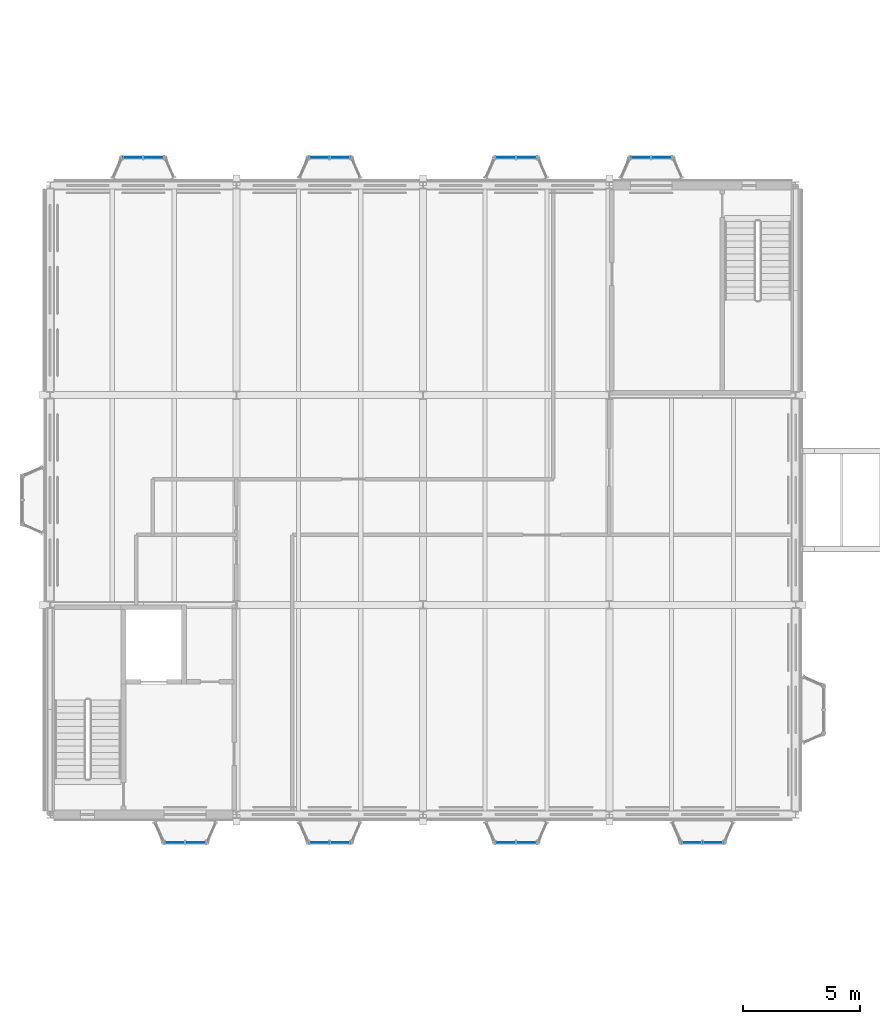
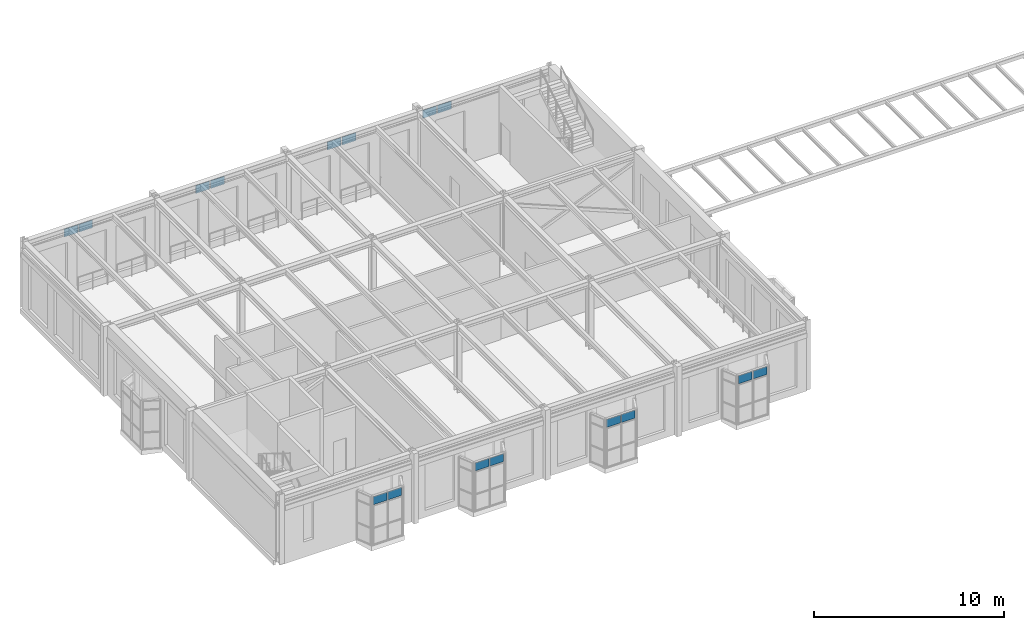
# One storey, part 91 of 153: 16 plates, 8 elements without a shape of their own.
"""IFC4 building model written with IfcOpenShell, lengths in metres."""

from ifc_helpers import new_model, si_unit, direction, frame, origin, origin_2d, place, context, subcontext, project, spatial, rectangle, extrude, material, layer, layer_set, type_object, element, aggregate, save


model = new_model("IFC4")

# Units and contexts
model_context = context("Model", 3, precision=1e-05, world=origin(), true_north=direction((0.0, 1.0)))
body_context = subcontext(model_context, "Body", "Model", "MODEL_VIEW")
ifc_project = project(units=[si_unit("LENGTHUNIT", "METRE"), si_unit("AREAUNIT", "SQUARE_METRE"), si_unit("VOLUMEUNIT", "CUBIC_METRE"), si_unit("PLANEANGLEUNIT", "RADIAN"), si_unit("MASSUNIT", "GRAM", prefix="KILO")], contexts=[model_context])

# Site, building, storey
site_placement = place(None, origin())
site = spatial("IfcSite", under=ifc_project, at=site_placement, CompositionType="ELEMENT")
building_placement = place(site_placement, origin())
building = spatial("IfcBuilding", under=site, at=building_placement, Name="Kallimachos Central Library", CompositionType="ELEMENT")
storey_placement = place(building_placement, frame((0.0, 0.0, 5.39990234375)))
storey = spatial("IfcBuildingStorey", under=building, at=storey_placement, Name="L01", CompositionType="ELEMENT", Elevation=5.39990234375)

# Curtain wall, plates
ifc_material_1 = material(Name="Laminated glass in anodised aluminium", Category="aluminium")
curtain_wall_type = type_object("IfcCurtainWallType", Name="Foyer curtain wall", PredefinedType="NOTDEFINED", material=ifc_material_1)
curtain_wall_1_placement = place(storey_placement, origin())
curtain_wall_1 = element("IfcCurtainWall", 1, at=curtain_wall_1_placement, inside=storey, type_object=curtain_wall_type, Name="Tribune bay front", PredefinedType="NOTDEFINED")
ifc_material_2 = material(Name="Laminated glass", Category="glass")
ifc_layer = layer(ifc_material_2, 0.028076171875)
ifc_layer_set = layer_set([ifc_layer], Name="Curtain wall glass panel 28")
plate_type = type_object("IfcPlateType", Name="Curtain wall glass panel 28", PredefinedType="CURTAIN_PANEL", material=ifc_layer_set)
plate_1_placement = place(storey_placement, frame((11.3525390625, 85.800048828125, 2.72998046875), z_axis=(0.0, 0.0, 1.0), x_axis=(1.0, 0.0, 0.0)))
plate_1 = element("IfcPlate", 2, at=plate_1_placement, type_object=plate_type, Name="CW panel 1.3", PredefinedType="CURTAIN_PANEL", context=body_context, shape_type="SweptSolid", body=[
    extrude(rectangle(XDim=0.8349609375, YDim=0.028076171875, at=origin_2d()), origin(), (0.0, 0.0, 1.0), 0.510009765625),
])
plate_2_placement = place(storey_placement, frame((12.24755859375, 85.800048828125, 2.72998046875), z_axis=(0.0, 0.0, 1.0), x_axis=(1.0, 0.0, 0.0)))
plate_2 = element("IfcPlate", 3, at=plate_2_placement, type_object=plate_type, Name="CW panel 2.3", PredefinedType="CURTAIN_PANEL", context=body_context, shape_type="SweptSolid", body=[
    extrude(rectangle(XDim=0.8349609375, YDim=0.028076171875, at=origin_2d()), origin(), (0.0, 0.0, 1.0), 0.510009765625),
])
aggregate(curtain_wall_1, [plate_1, plate_2])

curtain_wall_2_placement = place(storey_placement, origin())
curtain_wall_2 = element("IfcCurtainWall", 4, at=curtain_wall_2_placement, inside=storey, type_object=curtain_wall_type, Name="Tribune bay front", PredefinedType="NOTDEFINED")
plate_3_placement = place(storey_placement, frame((17.552490234375, 85.800048828125, 2.72998046875), z_axis=(0.0, 0.0, 1.0), x_axis=(1.0, 0.0, 0.0)))
plate_3 = element("IfcPlate", 5, at=plate_3_placement, type_object=plate_type, Name="CW panel 1.3", PredefinedType="CURTAIN_PANEL", context=body_context, shape_type="SweptSolid", body=[
    extrude(rectangle(XDim=0.8349609375, YDim=0.028076171875, at=origin_2d()), origin(), (0.0, 0.0, 1.0), 0.510009765625),
])
plate_4_placement = place(storey_placement, frame((18.447509765625, 85.800048828125, 2.72998046875), z_axis=(0.0, 0.0, 1.0), x_axis=(1.0, 0.0, 0.0)))
plate_4 = element("IfcPlate", 6, at=plate_4_placement, type_object=plate_type, Name="CW panel 2.3", PredefinedType="CURTAIN_PANEL", context=body_context, shape_type="SweptSolid", body=[
    extrude(rectangle(XDim=0.8349609375, YDim=0.028076171875, at=origin_2d()), origin(), (0.0, 0.0, 1.0), 0.510009765625),
])
aggregate(curtain_wall_2, [plate_3, plate_4])

curtain_wall_3_placement = place(storey_placement, origin())
curtain_wall_3 = element("IfcCurtainWall", 7, at=curtain_wall_3_placement, inside=storey, type_object=curtain_wall_type, Name="Tribune bay front", PredefinedType="NOTDEFINED")
plate_5_placement = place(storey_placement, frame((25.552490234375, 85.800048828125, 2.72998046875), z_axis=(0.0, 0.0, 1.0), x_axis=(1.0, 0.0, 0.0)))
plate_5 = element("IfcPlate", 8, at=plate_5_placement, type_object=plate_type, Name="CW panel 1.3", PredefinedType="CURTAIN_PANEL", context=body_context, shape_type="SweptSolid", body=[
    extrude(rectangle(XDim=0.8349609375, YDim=0.028076171875, at=origin_2d()), origin(), (0.0, 0.0, 1.0), 0.510009765625),
])
plate_6_placement = place(storey_placement, frame((26.447509765625, 85.800048828125, 2.72998046875), z_axis=(0.0, 0.0, 1.0), x_axis=(1.0, 0.0, 0.0)))
plate_6 = element("IfcPlate", 9, at=plate_6_placement, type_object=plate_type, Name="CW panel 2.3", PredefinedType="CURTAIN_PANEL", context=body_context, shape_type="SweptSolid", body=[
    extrude(rectangle(XDim=0.8349609375, YDim=0.028076171875, at=origin_2d()), origin(), (0.0, 0.0, 1.0), 0.510009765625),
])
aggregate(curtain_wall_3, [plate_5, plate_6])

curtain_wall_4_placement = place(storey_placement, origin())
curtain_wall_4 = element("IfcCurtainWall", 10, at=curtain_wall_4_placement, inside=storey, type_object=curtain_wall_type, Name="Tribune bay front", PredefinedType="NOTDEFINED")
plate_7_placement = place(storey_placement, frame((33.552490234375, 85.800048828125, 2.72998046875), z_axis=(0.0, 0.0, 1.0), x_axis=(1.0, 0.0, 0.0)))
plate_7 = element("IfcPlate", 11, at=plate_7_placement, type_object=plate_type, Name="CW panel 1.3", PredefinedType="CURTAIN_PANEL", context=body_context, shape_type="SweptSolid", body=[
    extrude(rectangle(XDim=0.8349609375, YDim=0.028076171875, at=origin_2d()), origin(), (0.0, 0.0, 1.0), 0.510009765625),
])
plate_8_placement = place(storey_placement, frame((34.447509765625, 85.800048828125, 2.72998046875), z_axis=(0.0, 0.0, 1.0), x_axis=(1.0, 0.0, 0.0)))
plate_8 = element("IfcPlate", 12, at=plate_8_placement, type_object=plate_type, Name="CW panel 2.3", PredefinedType="CURTAIN_PANEL", context=body_context, shape_type="SweptSolid", body=[
    extrude(rectangle(XDim=0.8349609375, YDim=0.028076171875, at=origin_2d()), origin(), (0.0, 0.0, 1.0), 0.510009765625),
])
aggregate(curtain_wall_4, [plate_7, plate_8])

curtain_wall_5_placement = place(storey_placement, origin())
curtain_wall_5 = element("IfcCurtainWall", 13, at=curtain_wall_5_placement, inside=storey, type_object=curtain_wall_type, Name="Tribune bay front", PredefinedType="NOTDEFINED")
plate_9_placement = place(storey_placement, frame((9.552490234375, 115.199951171875, 2.72998046875), z_axis=(0.0, 0.0, 1.0), x_axis=(1.0, 0.0, 0.0)))
plate_9 = element("IfcPlate", 14, at=plate_9_placement, type_object=plate_type, Name="CW panel 1.3", PredefinedType="CURTAIN_PANEL", context=body_context, shape_type="SweptSolid", body=[
    extrude(rectangle(XDim=0.8349609375, YDim=0.028076171875, at=origin_2d()), origin(), (0.0, 0.0, 1.0), 0.510009765625),
])
plate_10_placement = place(storey_placement, frame((10.447509765625, 115.199951171875, 2.72998046875), z_axis=(0.0, 0.0, 1.0), x_axis=(1.0, 0.0, 0.0)))
plate_10 = element("IfcPlate", 15, at=plate_10_placement, type_object=plate_type, Name="CW panel 2.3", PredefinedType="CURTAIN_PANEL", context=body_context, shape_type="SweptSolid", body=[
    extrude(rectangle(XDim=0.8349609375, YDim=0.028076171875, at=origin_2d()), origin(), (0.0, 0.0, 1.0), 0.510009765625),
])
aggregate(curtain_wall_5, [plate_9, plate_10])

curtain_wall_6_placement = place(storey_placement, origin())
curtain_wall_6 = element("IfcCurtainWall", 16, at=curtain_wall_6_placement, inside=storey, type_object=curtain_wall_type, Name="Tribune bay front", PredefinedType="NOTDEFINED")
plate_11_placement = place(storey_placement, frame((17.552490234375, 115.199951171875, 2.72998046875), z_axis=(0.0, 0.0, 1.0), x_axis=(1.0, 0.0, 0.0)))
plate_11 = element("IfcPlate", 17, at=plate_11_placement, type_object=plate_type, Name="CW panel 1.3", PredefinedType="CURTAIN_PANEL", context=body_context, shape_type="SweptSolid", body=[
    extrude(rectangle(XDim=0.8349609375, YDim=0.028076171875, at=origin_2d()), origin(), (0.0, 0.0, 1.0), 0.510009765625),
])
plate_12_placement = place(storey_placement, frame((18.447509765625, 115.199951171875, 2.72998046875), z_axis=(0.0, 0.0, 1.0), x_axis=(1.0, 0.0, 0.0)))
plate_12 = element("IfcPlate", 18, at=plate_12_placement, type_object=plate_type, Name="CW panel 2.3", PredefinedType="CURTAIN_PANEL", context=body_context, shape_type="SweptSolid", body=[
    extrude(rectangle(XDim=0.8349609375, YDim=0.028076171875, at=origin_2d()), origin(), (0.0, 0.0, 1.0), 0.510009765625),
])
aggregate(curtain_wall_6, [plate_11, plate_12])

curtain_wall_7_placement = place(storey_placement, origin())
curtain_wall_7 = element("IfcCurtainWall", 19, at=curtain_wall_7_placement, inside=storey, type_object=curtain_wall_type, Name="Tribune bay front", PredefinedType="NOTDEFINED")
plate_13_placement = place(storey_placement, frame((25.552490234375, 115.199951171875, 2.72998046875), z_axis=(0.0, 0.0, 1.0), x_axis=(1.0, 0.0, 0.0)))
plate_13 = element("IfcPlate", 20, at=plate_13_placement, type_object=plate_type, Name="CW panel 1.3", PredefinedType="CURTAIN_PANEL", context=body_context, shape_type="SweptSolid", body=[
    extrude(rectangle(XDim=0.8349609375, YDim=0.028076171875, at=origin_2d()), origin(), (0.0, 0.0, 1.0), 0.510009765625),
])
plate_14_placement = place(storey_placement, frame((26.447509765625, 115.199951171875, 2.72998046875), z_axis=(0.0, 0.0, 1.0), x_axis=(1.0, 0.0, 0.0)))
plate_14 = element("IfcPlate", 21, at=plate_14_placement, type_object=plate_type, Name="CW panel 2.3", PredefinedType="CURTAIN_PANEL", context=body_context, shape_type="SweptSolid", body=[
    extrude(rectangle(XDim=0.8349609375, YDim=0.028076171875, at=origin_2d()), origin(), (0.0, 0.0, 1.0), 0.510009765625),
])
aggregate(curtain_wall_7, [plate_13, plate_14])

curtain_wall_8_placement = place(storey_placement, origin())
curtain_wall_8 = element("IfcCurtainWall", 22, at=curtain_wall_8_placement, inside=storey, type_object=curtain_wall_type, Name="Tribune bay front", PredefinedType="NOTDEFINED")
plate_15_placement = place(storey_placement, frame((31.3525390625, 115.199951171875, 2.72998046875), z_axis=(0.0, 0.0, 1.0), x_axis=(1.0, 0.0, 0.0)))
plate_15 = element("IfcPlate", 23, at=plate_15_placement, type_object=plate_type, Name="CW panel 1.3", PredefinedType="CURTAIN_PANEL", context=body_context, shape_type="SweptSolid", body=[
    extrude(rectangle(XDim=0.8349609375, YDim=0.028076171875, at=origin_2d()), origin(), (0.0, 0.0, 1.0), 0.510009765625),
])
plate_16_placement = place(storey_placement, frame((32.24755859375, 115.199951171875, 2.72998046875), z_axis=(0.0, 0.0, 1.0), x_axis=(1.0, 0.0, 0.0)))
plate_16 = element("IfcPlate", 24, at=plate_16_placement, type_object=plate_type, Name="CW panel 2.3", PredefinedType="CURTAIN_PANEL", context=body_context, shape_type="SweptSolid", body=[
    extrude(rectangle(XDim=0.8349609375, YDim=0.028076171875, at=origin_2d()), origin(), (0.0, 0.0, 1.0), 0.510009765625),
])
aggregate(curtain_wall_8, [plate_15, plate_16])

save(model, "model.ifc")
